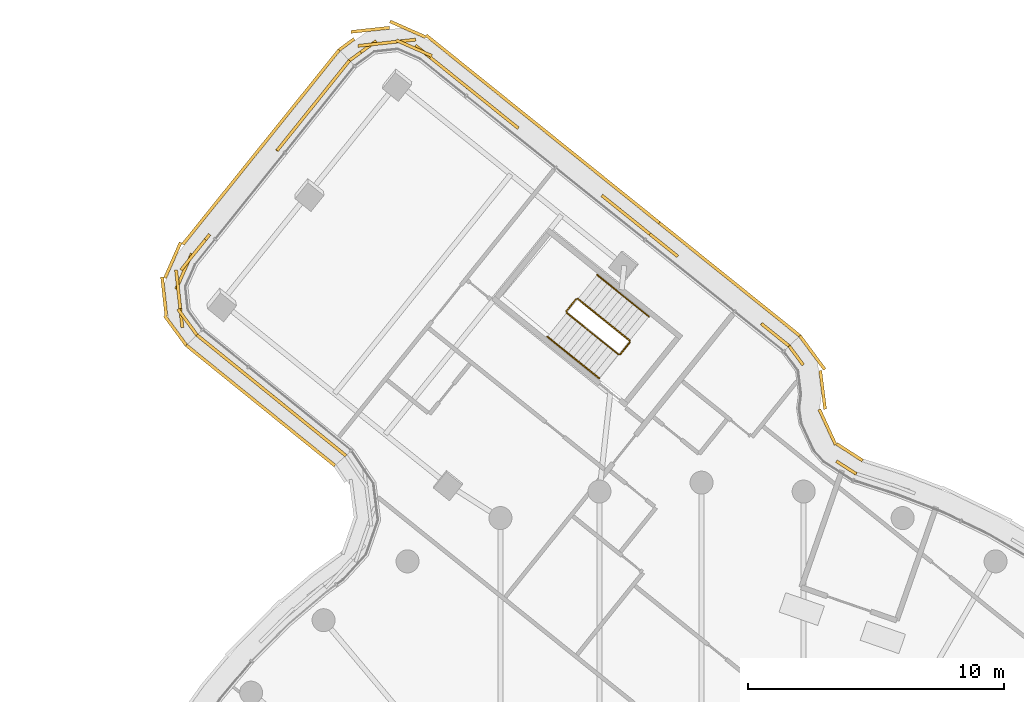
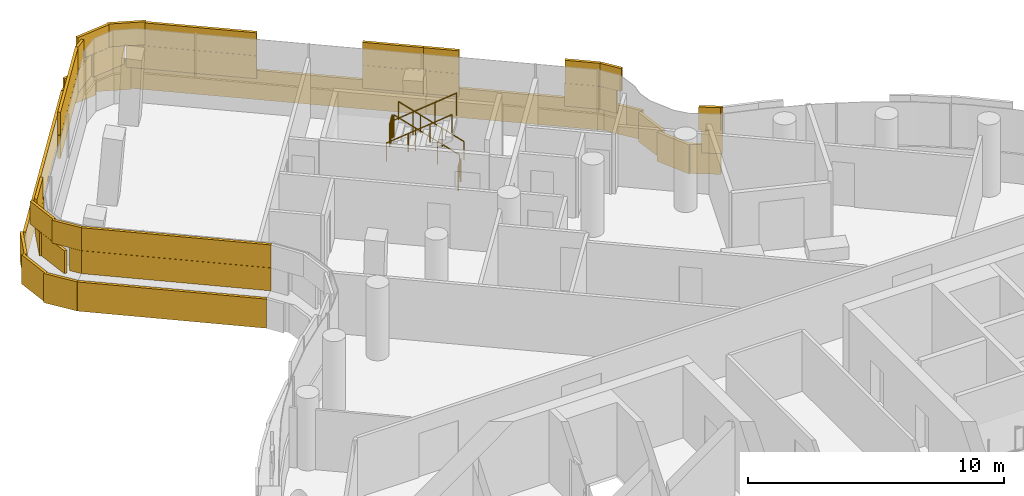
# One storey, part 24 of 25: 6 railings, 5 coverings.
"""IFC4 building model written with IfcOpenShell, lengths in metres."""

from ifc_helpers import new_model, si_unit, direction, frame, origin, origin_2d, place, context, subcontext, project, spatial, rectangle, circle, extrude, material, layer, layer_set, type_object, element, save


model = new_model("IFC4")

# Units and contexts
model_context = context("Model", 3, precision=1e-05, world=origin(), true_north=direction((0.0, 1.0)))
body_context = subcontext(model_context, "Body", "Model", "MODEL_VIEW")
ifc_project = project(units=[si_unit("LENGTHUNIT", "METRE"), si_unit("AREAUNIT", "SQUARE_METRE"), si_unit("VOLUMEUNIT", "CUBIC_METRE"), si_unit("PLANEANGLEUNIT", "RADIAN"), si_unit("MASSUNIT", "GRAM", prefix="KILO")], contexts=[model_context])

# Site, building, storey
site_placement = place(None, origin())
site = spatial("IfcSite", under=ifc_project, at=site_placement, CompositionType="ELEMENT")
building_placement = place(site_placement, origin())
building = spatial("IfcBuilding", under=site, at=building_placement, Name="Tamarind Cross Interchange Tower", CompositionType="ELEMENT")
storey_placement = place(building_placement, frame((0.0, 0.0, 219.89990234375)))
storey = spatial("IfcBuildingStorey", under=building, at=storey_placement, Name="L55", CompositionType="ELEMENT", Elevation=219.89990234375)

# Railings
ifc_material_1 = material(Name="Stair guard")
railing_type_1 = type_object("IfcRailingType", Name="Stair guard", PredefinedType="GUARDRAIL", material=ifc_material_1)
railing_1_placement = place(storey_placement, frame((-2.81005859375, 28.55859375, 0.163818359375)))
element("IfcRailing", 1, at=railing_1_placement, inside=storey, type_object=railing_type_1, Name="L55 ST4 stair guard 1", PredefinedType="GUARDRAIL", context=body_context, shape_type="SweptSolid", body=[
    extrude(circle(Radius=0.02392578125, at=origin_2d()), frame((0.0, 0.0, 1.076171875), z_axis=(-0.659539417082, 0.530397164671, 0.53262238502), x_axis=(-0.626685516276, -0.779272265444, 0.0)), (0.0, 0.0, 1.0), 3.072021484375),
    extrude(circle(Radius=0.02099609375, at=origin_2d()), origin(), (0.0, 0.0, 1.0), 1.052001953125),
    extrude(circle(Radius=0.02099609375, at=origin_2d()), frame((-0.67529296875, 0.543212890625, 0.54541015625)), (0.0, 0.0, 1.0), 1.052001953125),
    extrude(circle(Radius=0.02099609375, at=origin_2d()), frame((-1.350830078125, 1.086181640625, 1.0908203125)), (0.0, 0.0, 1.0), 1.052001953125),
    extrude(circle(Radius=0.02099609375, at=origin_2d()), frame((-2.026123046875, 1.62939453125, 1.63623046875)), (0.0, 0.0, 1.0), 1.052001953125),
])
railing_2_placement = place(storey_placement, frame((-4.906494140625, 30.180419921875, 1.800048828125)))
element("IfcRailing", 2, at=railing_2_placement, inside=storey, type_object=railing_type_1, Name="L55 ST4 stair guard 2", PredefinedType="GUARDRAIL", context=body_context, shape_type="SweptSolid", body=[
    extrude(circle(Radius=0.02392578125, at=origin_2d()), frame((0.0, 0.0, 1.076171875), z_axis=(-0.626726434952, -0.77923935715, 0.0), x_axis=(0.77923935715, -0.626726434952, 0.0)), (0.0, 0.0, 1.0), 0.600341796875),
    extrude(circle(Radius=0.02099609375, at=origin_2d()), origin(), (0.0, 0.0, 1.0), 1.052001953125),
    extrude(circle(Radius=0.02099609375, at=origin_2d()), frame((-0.376220703125, -0.4677734375, 0.0)), (0.0, 0.0, 1.0), 1.052001953125),
])
railing_3_placement = place(storey_placement, frame((-5.27490234375, 29.642578125, 1.963623046875)))
element("IfcRailing", 3, at=railing_3_placement, inside=storey, type_object=railing_type_1, Name="L55 ST4 stair guard 3", PredefinedType="GUARDRAIL", context=body_context, shape_type="SweptSolid", body=[
    extrude(circle(Radius=0.02392578125, at=origin_2d()), frame((0.0, 0.0, 1.076171875), z_axis=(0.659511499359, -0.530374713426, 0.532679308375), x_axis=(0.626685516276, 0.779272265444, 0.0)), (0.0, 0.0, 1.0), 3.072265625),
    extrude(circle(Radius=0.02099609375, at=origin_2d()), origin(), (0.0, 0.0, 1.0), 1.052001953125),
    extrude(circle(Radius=0.02099609375, at=origin_2d()), frame((0.67529296875, -0.543212890625, 0.54541015625)), (0.0, 0.0, 1.0), 1.052001953125),
    extrude(circle(Radius=0.02099609375, at=origin_2d()), frame((1.350830078125, -1.086181640625, 1.091064453125)), (0.0, 0.0, 1.0), 1.052001953125),
    extrude(circle(Radius=0.02099609375, at=origin_2d()), frame((2.026123046875, -1.62939453125, 1.636474609375)), (0.0, 0.0, 1.0), 1.052001953125),
])
railing_4_placement = place(storey_placement, frame((-2.802490234375, 28.48828125, 0.0)))
element("IfcRailing", 4, at=railing_4_placement, inside=storey, type_object=railing_type_1, Name="L55 ST4 stair guard 4", PredefinedType="GUARDRAIL", context=body_context, shape_type="SweptSolid", body=[
    extrude(circle(Radius=0.02392578125, at=origin_2d()), frame((0.0, 0.0, 1.076171875), z_axis=(-0.626678072074, -0.779278251962, 0.0), x_axis=(0.779278251962, -0.626678072074, 0.0)), (0.0, 0.0, 1.0), 0.599853515625),
    extrude(circle(Radius=0.02099609375, at=origin_2d()), origin(), (0.0, 0.0, 1.0), 1.052001953125),
    extrude(circle(Radius=0.02099609375, at=origin_2d()), frame((-0.3759765625, -0.467529296875, 0.0)), (0.0, 0.0, 1.0), 1.052001953125),
])
ifc_material_2 = material(Name="Stair handrail")
railing_type_2 = type_object("IfcRailingType", Name="Stair handrail", PredefinedType="HANDRAIL", material=ifc_material_2)
railing_5_placement = place(storey_placement, frame((-2.05810546875, 29.49365234375, 0.163818359375)))
element("IfcRailing", 5, at=railing_5_placement, inside=storey, type_object=railing_type_2, Name="L55 ST4 stair handrail 1", PredefinedType="HANDRAIL", context=body_context, shape_type="SweptSolid", body=[
    extrude(circle(Radius=0.02392578125, at=origin_2d()), frame((0.0, 0.0, 0.8759765625), z_axis=(-0.659539417082, 0.530397164671, 0.53262238502), x_axis=(-0.626685516276, -0.779272265444, 0.0)), (0.0, 0.0, 1.0), 3.072021484375),
    extrude(circle(Radius=0.02099609375, at=origin_2d()), origin(), (0.0, 0.0, 1.0), 0.851806640625),
    extrude(circle(Radius=0.02099609375, at=origin_2d()), frame((-0.67529296875, 0.543212890625, 0.54541015625)), (0.0, 0.0, 1.0), 0.851806640625),
    extrude(circle(Radius=0.02099609375, at=origin_2d()), frame((-1.350830078125, 1.086181640625, 1.0908203125)), (0.0, 0.0, 1.0), 0.851806640625),
    extrude(circle(Radius=0.02099609375, at=origin_2d()), frame((-2.026123046875, 1.62939453125, 1.63623046875)), (0.0, 0.0, 1.0), 0.851806640625),
])
railing_6_placement = place(storey_placement, frame((-6.02685546875, 28.707275390625, 1.963623046875)))
element("IfcRailing", 6, at=railing_6_placement, inside=storey, type_object=railing_type_2, Name="L55 ST4 stair handrail 2", PredefinedType="HANDRAIL", context=body_context, shape_type="SweptSolid", body=[
    extrude(circle(Radius=0.02392578125, at=origin_2d()), frame((0.0, 0.0, 0.8759765625), z_axis=(0.659511499359, -0.530374713426, 0.532679308375), x_axis=(0.626685516276, 0.779272265444, 0.0)), (0.0, 0.0, 1.0), 3.072265625),
    extrude(circle(Radius=0.02099609375, at=origin_2d()), origin(), (0.0, 0.0, 1.0), 0.851806640625),
    extrude(circle(Radius=0.02099609375, at=origin_2d()), frame((0.67529296875, -0.543212890625, 0.54541015625)), (0.0, 0.0, 1.0), 0.851806640625),
    extrude(circle(Radius=0.02099609375, at=origin_2d()), frame((1.350830078125, -1.086181640625, 1.091064453125)), (0.0, 0.0, 1.0), 0.851806640625),
    extrude(circle(Radius=0.02099609375, at=origin_2d()), frame((2.026123046875, -1.62939453125, 1.636474609375)), (0.0, 0.0, 1.0), 0.851806640625),
])

# Coverings
ifc_material_3 = material(Name="Terracotta", Category="masonry")
ifc_layer = layer(ifc_material_3, 0.1201171875)
ifc_layer_set = layer_set([ifc_layer], Name="Terracotta")
covering_type = type_object("IfcCoveringType", Name="Terracotta baguette screen unit", PredefinedType="MOLDING", material=ifc_layer_set)
covering_1_placement = place(storey_placement, origin())
element("IfcCovering", 7, at=covering_1_placement, inside=storey, type_object=covering_type, Name="SCR-L55-02-10", PredefinedType="MOLDING", context=body_context, shape_type="SweptSolid", body=[
    extrude(rectangle(XDim=0.829345703125, YDim=0.1201171875, at=origin_2d()), frame((5.709228515625, 23.5595703125, 1.404296875), z_axis=(0.0, 0.0, 1.0), x_axis=(-0.840724873963, 0.541462543765, 0.0)), (0.0, 0.0, 1.0), 1.092041015625),
    extrude(rectangle(XDim=0.73046875, YDim=0.1201171875, at=origin_2d()), frame((3.64208984375, 28.052001953125, 1.404296875), z_axis=(0.0, 0.0, 1.0), x_axis=(-0.594770554704, 0.803895507673, 0.0)), (0.0, 0.0, 1.0), 1.092041015625),
    extrude(rectangle(XDim=0.079345703125, YDim=0.1201171875, at=origin_2d()), frame((6.026123046875, 23.360107421875, 2.50390625), z_axis=(0.0, 0.0, 1.0), x_axis=(-0.951959313024, 0.306224535834, 0.0)), (0.0, 0.0, 1.0), 1.092041015625),
    extrude(rectangle(XDim=0.860595703125, YDim=0.1201171875, at=origin_2d()), frame((5.6376953125, 23.60546875, 2.50390625), z_axis=(0.0, 0.0, 1.0), x_axis=(-0.840724873963, 0.541462543765, 0.0)), (0.0, 0.0, 1.0), 1.092041015625),
    extrude(rectangle(XDim=0.919921875, YDim=0.1201171875, at=origin_2d()), frame((3.701416015625, 27.9716796875, 2.50390625), z_axis=(0.0, 0.0, 1.0), x_axis=(-0.594770554704, 0.803895507673, 0.0)), (0.0, 0.0, 1.0), 1.092041015625),
    extrude(rectangle(XDim=1.216552734375, YDim=0.1201171875, at=origin_2d()), frame((5.788330078125, 24.19140625, 0.004150390625), z_axis=(0.0, 0.0, 1.0), x_axis=(-0.840724873963, 0.541462543765, 0.0)), (0.0, 0.0, 1.0), 1.39208984375),
    extrude(rectangle(XDim=1.52001953125, YDim=0.1201171875, at=origin_2d()), frame((4.924560546875, 25.175048828125, 0.004150390625), z_axis=(0.0, 0.0, 1.0), x_axis=(-0.419580829187, 0.907717978107, 0.0)), (0.0, 0.0, 1.0), 1.39208984375),
    extrude(rectangle(XDim=1.52001953125, YDim=0.1201171875, at=origin_2d()), frame((4.739501953125, 26.625244140625, 0.004150390625), z_axis=(0.0, 0.0, 1.0), x_axis=(-0.12357431249, 0.992335320994, 0.0)), (0.0, 0.0, 1.0), 1.39208984375),
    extrude(rectangle(XDim=1.52001953125, YDim=0.1201171875, at=origin_2d()), frame((4.3662109375, 28.038330078125, 0.004150390625), z_axis=(0.0, 0.0, 1.0), x_axis=(-0.594770554704, 0.803895507673, 0.0)), (0.0, 0.0, 1.0), 1.39208984375),
    extrude(rectangle(XDim=0.1357421875, YDim=0.1201171875, at=origin_2d()), frame((3.885498046875, 28.68798828125, 0.004150390625), z_axis=(0.0, 0.0, 1.0), x_axis=(-0.594770554704, 0.803895507673, 0.0)), (0.0, 0.0, 1.0), 1.39208984375),
])
covering_2_placement = place(storey_placement, origin())
element("IfcCovering", 8, at=covering_2_placement, inside=storey, type_object=covering_type, Name="SCR-L55-03-00", PredefinedType="MOLDING", context=body_context, shape_type="SweptSolid", body=[
    extrude(rectangle(XDim=0.760009765625, YDim=0.1201171875, at=origin_2d()), frame((3.135498046875, 28.57666015625, 1.404296875), z_axis=(0.0, 0.0, 1.0), x_axis=(-0.779285467959, 0.62666909883, 0.0)), (0.0, 0.0, 1.0), 1.092041015625),
    extrude(rectangle(XDim=0.6572265625, YDim=0.1201171875, at=origin_2d()), frame((2.591064453125, 29.014404296875, 1.404296875), z_axis=(0.0, 0.0, 1.0), x_axis=(-0.779285467959, 0.62666909883, 0.0)), (0.0, 0.0, 1.0), 1.092041015625),
    extrude(rectangle(XDim=1.162841796875, YDim=0.1201171875, at=origin_2d()), frame((-1.38330078125, 32.21044921875, 1.404296875), z_axis=(0.0, 0.0, 1.0), x_axis=(-0.779285467959, 0.62666909883, 0.0)), (0.0, 0.0, 1.0), 1.092041015625),
    extrude(rectangle(XDim=0.254638671875, YDim=0.1201171875, at=origin_2d()), frame((-1.927734375, 32.648193359375, 1.404296875), z_axis=(0.0, 0.0, 1.0), x_axis=(-0.779285467959, 0.62666909883, 0.0)), (0.0, 0.0, 1.0), 1.092041015625),
    extrude(rectangle(XDim=1.397216796875, YDim=0.1201171875, at=origin_2d()), frame((2.88330078125, 28.779296875, 2.50390625), z_axis=(0.0, 0.0, 1.0), x_axis=(-0.779285467959, 0.62666909883, 0.0)), (0.0, 0.0, 1.0), 1.092041015625),
    extrude(rectangle(XDim=0.412841796875, YDim=0.1201171875, at=origin_2d()), frame((-1.091064453125, 31.975341796875, 2.50390625), z_axis=(0.0, 0.0, 1.0), x_axis=(-0.779285467959, 0.62666909883, 0.0)), (0.0, 0.0, 1.0), 1.092041015625),
    extrude(rectangle(XDim=1.004638671875, YDim=0.1201171875, at=origin_2d()), frame((-1.635498046875, 32.4130859375, 2.50390625), z_axis=(0.0, 0.0, 1.0), x_axis=(-0.779285467959, 0.62666909883, 0.0)), (0.0, 0.0, 1.0), 1.092041015625),
    extrude(rectangle(XDim=0.760009765625, YDim=0.1201171875, at=origin_2d()), frame((3.549072265625, 28.980712890625, 0.004150390625), z_axis=(0.0, 0.0, 1.0), x_axis=(-0.779285467959, 0.62666909883, 0.0)), (0.0, 0.0, 1.0), 1.39208984375),
    extrude(rectangle(XDim=1.52001953125, YDim=0.1201171875, at=origin_2d()), frame((2.67626953125, 29.682373046875, 0.004150390625), z_axis=(0.0, 0.0, 1.0), x_axis=(-0.779285467959, 0.62666909883, 0.0)), (0.0, 0.0, 1.0), 1.39208984375),
    extrude(rectangle(XDim=1.52001953125, YDim=0.1201171875, at=origin_2d()), frame((1.50732421875, 30.62255859375, 0.004150390625), z_axis=(0.0, 0.0, 1.0), x_axis=(-0.779285467959, 0.62666909883, 0.0)), (0.0, 0.0, 1.0), 1.39208984375),
    extrude(rectangle(XDim=1.52001953125, YDim=0.1201171875, at=origin_2d()), frame((0.33837890625, 31.5625, 0.004150390625), z_axis=(0.0, 0.0, 1.0), x_axis=(-0.779285467959, 0.62666909883, 0.0)), (0.0, 0.0, 1.0), 1.39208984375),
    extrude(rectangle(XDim=1.52001953125, YDim=0.1201171875, at=origin_2d()), frame((-0.83056640625, 32.50244140625, 0.004150390625), z_axis=(0.0, 0.0, 1.0), x_axis=(-0.779285467959, 0.62666909883, 0.0)), (0.0, 0.0, 1.0), 1.39208984375),
    extrude(rectangle(XDim=0.311767578125, YDim=0.1201171875, at=origin_2d()), frame((-1.528564453125, 33.06396484375, 0.004150390625), z_axis=(0.0, 0.0, 1.0), x_axis=(-0.779285467959, 0.62666909883, 0.0)), (0.0, 0.0, 1.0), 1.39208984375),
])
covering_3_placement = place(storey_placement, origin())
element("IfcCovering", 9, at=covering_3_placement, inside=storey, type_object=covering_type, Name="SCR-L55-03-01", PredefinedType="MOLDING", context=body_context, shape_type="SweptSolid", body=[
    extrude(rectangle(XDim=1.265380859375, YDim=0.1201171875, at=origin_2d()), frame((-2.51220703125, 33.1181640625, 1.404296875), z_axis=(0.0, 0.0, 1.0), x_axis=(-0.779285467959, 0.62666909883, 0.0)), (0.0, 0.0, 1.0), 1.092041015625),
    extrude(rectangle(XDim=1.160400390625, YDim=0.1201171875, at=origin_2d()), frame((-3.449462890625, 33.8720703125, 1.404296875), z_axis=(0.0, 0.0, 1.0), x_axis=(-0.779285467959, 0.62666909883, 0.0)), (0.0, 0.0, 1.0), 1.092041015625),
    extrude(rectangle(XDim=0.65966796875, YDim=0.1201171875, at=origin_2d()), frame((-7.423828125, 37.068115234375, 1.404296875), z_axis=(0.0, 0.0, 1.0), x_axis=(-0.779285467959, 0.62666909883, 0.0)), (0.0, 0.0, 1.0), 1.092041015625),
    extrude(rectangle(XDim=1.52001953125, YDim=0.1201171875, at=origin_2d()), frame((-8.261474609375, 37.74169921875, 1.404296875), z_axis=(0.0, 0.0, 1.0), x_axis=(-0.779285467959, 0.62666909883, 0.0)), (0.0, 0.0, 1.0), 1.092041015625),
    extrude(rectangle(XDim=1.52001953125, YDim=0.1201171875, at=origin_2d()), frame((-9.430419921875, 38.681640625, 1.404296875), z_axis=(0.0, 0.0, 1.0), x_axis=(-0.779285467959, 0.62666909883, 0.0)), (0.0, 0.0, 1.0), 1.092041015625),
    extrude(rectangle(XDim=1.52001953125, YDim=0.1201171875, at=origin_2d()), frame((-10.599365234375, 39.62158203125, 1.404296875), z_axis=(0.0, 0.0, 1.0), x_axis=(-0.779285467959, 0.62666909883, 0.0)), (0.0, 0.0, 1.0), 1.092041015625),
    extrude(rectangle(XDim=1.52001953125, YDim=0.1201171875, at=origin_2d()), frame((-11.93603515625, 40.24560546875, 1.404296875), z_axis=(0.0, 0.0, 1.0), x_axis=(-0.994160008217, -0.107916069531, 0.0)), (0.0, 0.0, 1.0), 1.092041015625),
    extrude(rectangle(XDim=1.309814453125, YDim=0.1201171875, at=origin_2d()), frame((-13.2490234375, 39.89111328125, 1.404296875), z_axis=(0.0, 0.0, 1.0), x_axis=(-0.807009787777, -0.590538061798, 0.0)), (0.0, 0.0, 1.0), 1.092041015625),
    extrude(rectangle(XDim=0.515380859375, YDim=0.1201171875, at=origin_2d()), frame((-2.219970703125, 32.88330078125, 2.50390625), z_axis=(0.0, 0.0, 1.0), x_axis=(-0.779285467959, 0.62666909883, 0.0)), (0.0, 0.0, 1.0), 1.092041015625),
    extrude(rectangle(XDim=1.52001953125, YDim=0.1201171875, at=origin_2d()), frame((-3.001220703125, 33.511474609375, 2.50390625), z_axis=(0.0, 0.0, 1.0), x_axis=(-0.779285467959, 0.62666909883, 0.0)), (0.0, 0.0, 1.0), 1.092041015625),
    extrude(rectangle(XDim=0.410400390625, YDim=0.1201171875, at=origin_2d()), frame((-3.74169921875, 34.10693359375, 2.50390625), z_axis=(0.0, 0.0, 1.0), x_axis=(-0.779285467959, 0.62666909883, 0.0)), (0.0, 0.0, 1.0), 1.092041015625),
    extrude(rectangle(XDim=1.40966796875, YDim=0.1201171875, at=origin_2d()), frame((-7.716064453125, 37.302978515625, 2.50390625), z_axis=(0.0, 0.0, 1.0), x_axis=(-0.779285467959, 0.62666909883, 0.0)), (0.0, 0.0, 1.0), 1.092041015625),
    extrude(rectangle(XDim=1.52001953125, YDim=0.1201171875, at=origin_2d()), frame((-8.845947265625, 38.211669921875, 2.50390625), z_axis=(0.0, 0.0, 1.0), x_axis=(-0.779285467959, 0.62666909883, 0.0)), (0.0, 0.0, 1.0), 1.092041015625),
    extrude(rectangle(XDim=1.52001953125, YDim=0.1201171875, at=origin_2d()), frame((-10.014892578125, 39.151611328125, 2.50390625), z_axis=(0.0, 0.0, 1.0), x_axis=(-0.779285467959, 0.62666909883, 0.0)), (0.0, 0.0, 1.0), 1.092041015625),
    extrude(rectangle(XDim=1.52001953125, YDim=0.1201171875, at=origin_2d()), frame((-11.241455078125, 39.99658203125, 2.50390625), z_axis=(0.0, 0.0, 1.0), x_axis=(-0.914925857307, 0.403621946418, 0.0)), (0.0, 0.0, 1.0), 1.092041015625),
    extrude(rectangle(XDim=1.52001953125, YDim=0.1201171875, at=origin_2d()), frame((-12.681640625, 40.16455078125, 2.50390625), z_axis=(0.0, 0.0, 1.0), x_axis=(-0.994160008217, -0.107916069531, 0.0)), (0.0, 0.0, 1.0), 1.092041015625),
    extrude(rectangle(XDim=0.559814453125, YDim=0.1201171875, at=origin_2d()), frame((-13.551513671875, 39.669677734375, 2.50390625), z_axis=(0.0, 0.0, 1.0), x_axis=(-0.807009787777, -0.590538061798, 0.0)), (0.0, 0.0, 1.0), 1.092041015625),
    extrude(rectangle(XDim=1.208251953125, YDim=0.1201171875, at=origin_2d()), frame((-2.120849609375, 33.5400390625, 0.004150390625), z_axis=(0.0, 0.0, 1.0), x_axis=(-0.779285467959, 0.62666909883, 0.0)), (0.0, 0.0, 1.0), 1.39208984375),
    extrude(rectangle(XDim=1.52001953125, YDim=0.1201171875, at=origin_2d()), frame((-3.168212890625, 34.382568359375, 0.004150390625), z_axis=(0.0, 0.0, 1.0), x_axis=(-0.779285467959, 0.62666909883, 0.0)), (0.0, 0.0, 1.0), 1.39208984375),
    extrude(rectangle(XDim=1.52001953125, YDim=0.1201171875, at=origin_2d()), frame((-4.337158203125, 35.322509765625, 0.004150390625), z_axis=(0.0, 0.0, 1.0), x_axis=(-0.779285467959, 0.62666909883, 0.0)), (0.0, 0.0, 1.0), 1.39208984375),
    extrude(rectangle(XDim=1.52001953125, YDim=0.1201171875, at=origin_2d()), frame((-5.506103515625, 36.262451171875, 0.004150390625), z_axis=(0.0, 0.0, 1.0), x_axis=(-0.779285467959, 0.62666909883, 0.0)), (0.0, 0.0, 1.0), 1.39208984375),
    extrude(rectangle(XDim=1.52001953125, YDim=0.1201171875, at=origin_2d()), frame((-6.675048828125, 37.202392578125, 0.004150390625), z_axis=(0.0, 0.0, 1.0), x_axis=(-0.779285467959, 0.62666909883, 0.0)), (0.0, 0.0, 1.0), 1.39208984375),
    extrude(rectangle(XDim=1.52001953125, YDim=0.1201171875, at=origin_2d()), frame((-7.843994140625, 38.142578125, 0.004150390625), z_axis=(0.0, 0.0, 1.0), x_axis=(-0.779285467959, 0.62666909883, 0.0)), (0.0, 0.0, 1.0), 1.39208984375),
    extrude(rectangle(XDim=1.52001953125, YDim=0.1201171875, at=origin_2d()), frame((-9.012939453125, 39.08251953125, 0.004150390625), z_axis=(0.0, 0.0, 1.0), x_axis=(-0.779285467959, 0.62666909883, 0.0)), (0.0, 0.0, 1.0), 1.39208984375),
    extrude(rectangle(XDim=1.52001953125, YDim=0.1201171875, at=origin_2d()), frame((-10.181884765625, 40.0224609375, 0.004150390625), z_axis=(0.0, 0.0, 1.0), x_axis=(-0.779285467959, 0.62666909883, 0.0)), (0.0, 0.0, 1.0), 1.39208984375),
    extrude(rectangle(XDim=1.52001953125, YDim=0.1201171875, at=origin_2d()), frame((-11.489990234375, 40.733642578125, 0.004150390625), z_axis=(0.0, 0.0, 1.0), x_axis=(-0.914925857307, 0.403621946418, 0.0)), (0.0, 0.0, 1.0), 1.39208984375),
    extrude(rectangle(XDim=1.52001953125, YDim=0.1201171875, at=origin_2d()), frame((-12.959716796875, 40.7119140625, 0.004150390625), z_axis=(0.0, 0.0, 1.0), x_axis=(-0.994160008217, -0.107916069531, 0.0)), (0.0, 0.0, 1.0), 1.39208984375),
    extrude(rectangle(XDim=0.725830078125, YDim=0.1201171875, at=origin_2d()), frame((-13.880615234375, 40.14013671875, 0.004150390625), z_axis=(0.0, 0.0, 1.0), x_axis=(-0.807009787777, -0.590538061798, 0.0)), (0.0, 0.0, 1.0), 1.39208984375),
])
covering_4_placement = place(storey_placement, origin())
element("IfcCovering", 10, at=covering_4_placement, inside=storey, type_object=covering_type, Name="SCR-L55-04-00", PredefinedType="MOLDING", context=body_context, shape_type="SweptSolid", body=[
    extrude(rectangle(XDim=0.760009765625, YDim=0.1201171875, at=origin_2d()), frame((-14.008544921875, 39.215087890625, 1.404296875), z_axis=(0.0, 0.0, 1.0), x_axis=(-0.62666909883, -0.779285467959, 0.0)), (0.0, 0.0, 1.0), 1.092041015625),
    extrude(rectangle(XDim=1.52001953125, YDim=0.1201171875, at=origin_2d()), frame((-14.71337890625, 38.33837890625, 1.404296875), z_axis=(0.0, 0.0, 1.0), x_axis=(-0.62666909883, -0.779285467959, 0.0)), (0.0, 0.0, 1.0), 1.092041015625),
    extrude(rectangle(XDim=1.52001953125, YDim=0.1201171875, at=origin_2d()), frame((-15.653564453125, 37.16943359375, 1.404296875), z_axis=(0.0, 0.0, 1.0), x_axis=(-0.62666909883, -0.779285467959, 0.0)), (0.0, 0.0, 1.0), 1.092041015625),
    extrude(rectangle(XDim=0.78466796875, YDim=0.1201171875, at=origin_2d()), frame((-16.3662109375, 36.283203125, 1.404296875), z_axis=(0.0, 0.0, 1.0), x_axis=(-0.62666909883, -0.779285467959, 0.0)), (0.0, 0.0, 1.0), 1.092041015625),
    extrude(rectangle(XDim=1.03515625, YDim=0.1201171875, at=origin_2d()), frame((-19.562255859375, 32.308837890625, 1.404296875), z_axis=(0.0, 0.0, 1.0), x_axis=(-0.62666909883, -0.779285467959, 0.0)), (0.0, 0.0, 1.0), 1.092041015625),
    extrude(rectangle(XDim=1.52001953125, YDim=0.1201171875, at=origin_2d()), frame((-20.247314453125, 31.26025390625, 1.404296875), z_axis=(0.0, 0.0, 1.0), x_axis=(-0.403621946418, -0.914925857307, 0.0)), (0.0, 0.0, 1.0), 1.092041015625),
    extrude(rectangle(XDim=1.52001953125, YDim=0.1201171875, at=origin_2d()), frame((-20.3896484375, 29.816162109375, 1.404296875), z_axis=(0.0, 0.0, 1.0), x_axis=(0.107916069531, -0.994160008217, 0.0)), (0.0, 0.0, 1.0), 1.092041015625),
    extrude(rectangle(XDim=0.509521484375, YDim=0.1201171875, at=origin_2d()), frame((-19.885498046875, 28.975830078125, 1.404296875), z_axis=(0.0, 0.0, 1.0), x_axis=(0.590538061798, -0.807009787777, 0.0)), (0.0, 0.0, 1.0), 1.092041015625),
    extrude(rectangle(XDim=1.510009765625, YDim=0.1201171875, at=origin_2d()), frame((-14.243408203125, 38.9228515625, 2.50390625), z_axis=(0.0, 0.0, 1.0), x_axis=(-0.62666909883, -0.779285467959, 0.0)), (0.0, 0.0, 1.0), 1.092041015625),
    extrude(rectangle(XDim=1.52001953125, YDim=0.1201171875, at=origin_2d()), frame((-15.183349609375, 37.75390625, 2.50390625), z_axis=(0.0, 0.0, 1.0), x_axis=(-0.62666909883, -0.779285467959, 0.0)), (0.0, 0.0, 1.0), 1.092041015625),
    extrude(rectangle(XDim=1.52001953125, YDim=0.1201171875, at=origin_2d()), frame((-16.12353515625, 36.5849609375, 2.50390625), z_axis=(0.0, 0.0, 1.0), x_axis=(-0.62666909883, -0.779285467959, 0.0)), (0.0, 0.0, 1.0), 1.092041015625),
    extrude(rectangle(XDim=1.52001953125, YDim=0.1201171875, at=origin_2d()), frame((-19.883544921875, 31.909423828125, 2.50390625), z_axis=(0.0, 0.0, 1.0), x_axis=(-0.62666909883, -0.779285467959, 0.0)), (0.0, 0.0, 1.0), 1.092041015625),
    extrude(rectangle(XDim=1.52001953125, YDim=0.1201171875, at=origin_2d()), frame((-20.470703125, 30.561767578125, 2.50390625), z_axis=(0.0, 0.0, 1.0), x_axis=(0.107916069531, -0.994160008217, 0.0)), (0.0, 0.0, 1.0), 1.092041015625),
    extrude(rectangle(XDim=1.259521484375, YDim=0.1201171875, at=origin_2d()), frame((-20.10693359375, 29.278564453125, 2.50390625), z_axis=(0.0, 0.0, 1.0), x_axis=(0.590538061798, -0.807009787777, 0.0)), (0.0, 0.0, 1.0), 1.092041015625),
    extrude(rectangle(XDim=0.760009765625, YDim=0.1201171875, at=origin_2d()), frame((-14.41162109375, 39.6298828125, 0.004150390625), z_axis=(0.0, 0.0, 1.0), x_axis=(-0.62666909883, -0.779285467959, 0.0)), (0.0, 0.0, 1.0), 1.39208984375),
    extrude(rectangle(XDim=1.52001953125, YDim=0.1201171875, at=origin_2d()), frame((-15.11328125, 38.757080078125, 0.004150390625), z_axis=(0.0, 0.0, 1.0), x_axis=(-0.62666909883, -0.779285467959, 0.0)), (0.0, 0.0, 1.0), 1.39208984375),
    extrude(rectangle(XDim=1.52001953125, YDim=0.1201171875, at=origin_2d()), frame((-16.053466796875, 37.588134765625, 0.004150390625), z_axis=(0.0, 0.0, 1.0), x_axis=(-0.62666909883, -0.779285467959, 0.0)), (0.0, 0.0, 1.0), 1.39208984375),
    extrude(rectangle(XDim=1.52001953125, YDim=0.1201171875, at=origin_2d()), frame((-16.993408203125, 36.419189453125, 0.004150390625), z_axis=(0.0, 0.0, 1.0), x_axis=(-0.62666909883, -0.779285467959, 0.0)), (0.0, 0.0, 1.0), 1.39208984375),
    extrude(rectangle(XDim=1.52001953125, YDim=0.1201171875, at=origin_2d()), frame((-17.933349609375, 35.250244140625, 0.004150390625), z_axis=(0.0, 0.0, 1.0), x_axis=(-0.62666909883, -0.779285467959, 0.0)), (0.0, 0.0, 1.0), 1.39208984375),
    extrude(rectangle(XDim=1.52001953125, YDim=0.1201171875, at=origin_2d()), frame((-18.873291015625, 34.081298828125, 0.004150390625), z_axis=(0.0, 0.0, 1.0), x_axis=(-0.62666909883, -0.779285467959, 0.0)), (0.0, 0.0, 1.0), 1.39208984375),
    extrude(rectangle(XDim=1.52001953125, YDim=0.1201171875, at=origin_2d()), frame((-19.8134765625, 32.912353515625, 0.004150390625), z_axis=(0.0, 0.0, 1.0), x_axis=(-0.62666909883, -0.779285467959, 0.0)), (0.0, 0.0, 1.0), 1.39208984375),
    extrude(rectangle(XDim=1.52001953125, YDim=0.1201171875, at=origin_2d()), frame((-20.680908203125, 31.699462890625, 0.004150390625), z_axis=(0.0, 0.0, 1.0), x_axis=(-0.403621946418, -0.914925857307, 0.0)), (0.0, 0.0, 1.0), 1.39208984375),
    extrude(rectangle(XDim=1.52001953125, YDim=0.1201171875, at=origin_2d()), frame((-21.01806640625, 30.285400390625, 0.004150390625), z_axis=(0.0, 0.0, 1.0), x_axis=(0.107916069531, -0.994160008217, 0.0)), (0.0, 0.0, 1.0), 1.39208984375),
    extrude(rectangle(XDim=1.426025390625, YDim=0.1201171875, at=origin_2d()), frame((-20.578125, 28.95068359375, 0.004150390625), z_axis=(0.0, 0.0, 1.0), x_axis=(0.590538061798, -0.807009787777, 0.0)), (0.0, 0.0, 1.0), 1.39208984375),
])
covering_5_placement = place(storey_placement, origin())
element("IfcCovering", 11, at=covering_5_placement, inside=storey, type_object=covering_type, Name="SCR-L55-05-00", PredefinedType="MOLDING", context=body_context, shape_type="SweptSolid", body=[
    extrude(rectangle(XDim=0.760009765625, YDim=0.1201171875, at=origin_2d()), frame((-19.446533203125, 28.538330078125, 1.404296875), z_axis=(0.0, 0.0, 1.0), x_axis=(0.777076636839, -0.629405990184, 0.0)), (0.0, 0.0, 1.0), 1.092041015625),
    extrude(rectangle(XDim=1.52001953125, YDim=0.1201171875, at=origin_2d()), frame((-18.572265625, 27.830322265625, 1.404296875), z_axis=(0.0, 0.0, 1.0), x_axis=(0.777076636839, -0.629405990184, 0.0)), (0.0, 0.0, 1.0), 1.092041015625),
    extrude(rectangle(XDim=1.52001953125, YDim=0.1201171875, at=origin_2d()), frame((-17.40673828125, 26.88623046875, 1.404296875), z_axis=(0.0, 0.0, 1.0), x_axis=(0.777076636839, -0.629405990184, 0.0)), (0.0, 0.0, 1.0), 1.092041015625),
    extrude(rectangle(XDim=1.52001953125, YDim=0.1201171875, at=origin_2d()), frame((-16.240966796875, 25.942138671875, 1.404296875), z_axis=(0.0, 0.0, 1.0), x_axis=(0.777076636839, -0.629405990184, 0.0)), (0.0, 0.0, 1.0), 1.092041015625),
    extrude(rectangle(XDim=1.52001953125, YDim=0.1201171875, at=origin_2d()), frame((-15.075439453125, 24.998046875, 1.404296875), z_axis=(0.0, 0.0, 1.0), x_axis=(0.777076636839, -0.629405990184, 0.0)), (0.0, 0.0, 1.0), 1.092041015625),
    extrude(rectangle(XDim=0.75537109375, YDim=0.1201171875, at=origin_2d()), frame((-14.203125, 24.291259765625, 1.404296875), z_axis=(0.0, 0.0, 1.0), x_axis=(0.777076636839, -0.629405990184, 0.0)), (0.0, 0.0, 1.0), 1.092041015625),
    extrude(rectangle(XDim=1.510009765625, YDim=0.1201171875, at=origin_2d()), frame((-19.155029296875, 28.30224609375, 2.50390625), z_axis=(0.0, 0.0, 1.0), x_axis=(0.777076636839, -0.629405990184, 0.0)), (0.0, 0.0, 1.0), 1.092041015625),
    extrude(rectangle(XDim=1.52001953125, YDim=0.1201171875, at=origin_2d()), frame((-17.989501953125, 27.358154296875, 2.50390625), z_axis=(0.0, 0.0, 1.0), x_axis=(0.777076636839, -0.629405990184, 0.0)), (0.0, 0.0, 1.0), 1.092041015625),
    extrude(rectangle(XDim=1.52001953125, YDim=0.1201171875, at=origin_2d()), frame((-16.823974609375, 26.4140625, 2.50390625), z_axis=(0.0, 0.0, 1.0), x_axis=(0.777076636839, -0.629405990184, 0.0)), (0.0, 0.0, 1.0), 1.092041015625),
    extrude(rectangle(XDim=1.52001953125, YDim=0.1201171875, at=origin_2d()), frame((-15.658203125, 25.469970703125, 2.50390625), z_axis=(0.0, 0.0, 1.0), x_axis=(0.777076636839, -0.629405990184, 0.0)), (0.0, 0.0, 1.0), 1.092041015625),
    extrude(rectangle(XDim=1.50537109375, YDim=0.1201171875, at=origin_2d()), frame((-14.494384765625, 24.52734375, 2.50390625), z_axis=(0.0, 0.0, 1.0), x_axis=(0.777076636839, -0.629405990184, 0.0)), (0.0, 0.0, 1.0), 1.092041015625),
    extrude(rectangle(XDim=0.760009765625, YDim=0.1201171875, at=origin_2d()), frame((-19.86181640625, 28.135986328125, 0.004150390625), z_axis=(0.0, 0.0, 1.0), x_axis=(0.777076636839, -0.629405990184, 0.0)), (0.0, 0.0, 1.0), 1.39208984375),
    extrude(rectangle(XDim=1.52001953125, YDim=0.1201171875, at=origin_2d()), frame((-18.991455078125, 27.43115234375, 0.004150390625), z_axis=(0.0, 0.0, 1.0), x_axis=(0.777076636839, -0.629405990184, 0.0)), (0.0, 0.0, 1.0), 1.39208984375),
    extrude(rectangle(XDim=1.52001953125, YDim=0.1201171875, at=origin_2d()), frame((-17.825927734375, 26.487060546875, 0.004150390625), z_axis=(0.0, 0.0, 1.0), x_axis=(0.777076636839, -0.629405990184, 0.0)), (0.0, 0.0, 1.0), 1.39208984375),
    extrude(rectangle(XDim=1.52001953125, YDim=0.1201171875, at=origin_2d()), frame((-16.66015625, 25.54296875, 0.004150390625), z_axis=(0.0, 0.0, 1.0), x_axis=(0.777076636839, -0.629405990184, 0.0)), (0.0, 0.0, 1.0), 1.39208984375),
    extrude(rectangle(XDim=1.52001953125, YDim=0.1201171875, at=origin_2d()), frame((-15.49462890625, 24.598876953125, 0.004150390625), z_axis=(0.0, 0.0, 1.0), x_axis=(0.777076636839, -0.629405990184, 0.0)), (0.0, 0.0, 1.0), 1.39208984375),
    extrude(rectangle(XDim=0.743896484375, YDim=0.1201171875, at=origin_2d()), frame((-14.630615234375, 23.89892578125, 0.004150390625), z_axis=(0.0, 0.0, 1.0), x_axis=(0.777076636839, -0.629405990184, 0.0)), (0.0, 0.0, 1.0), 1.39208984375),
])

save(model, "model.ifc")
